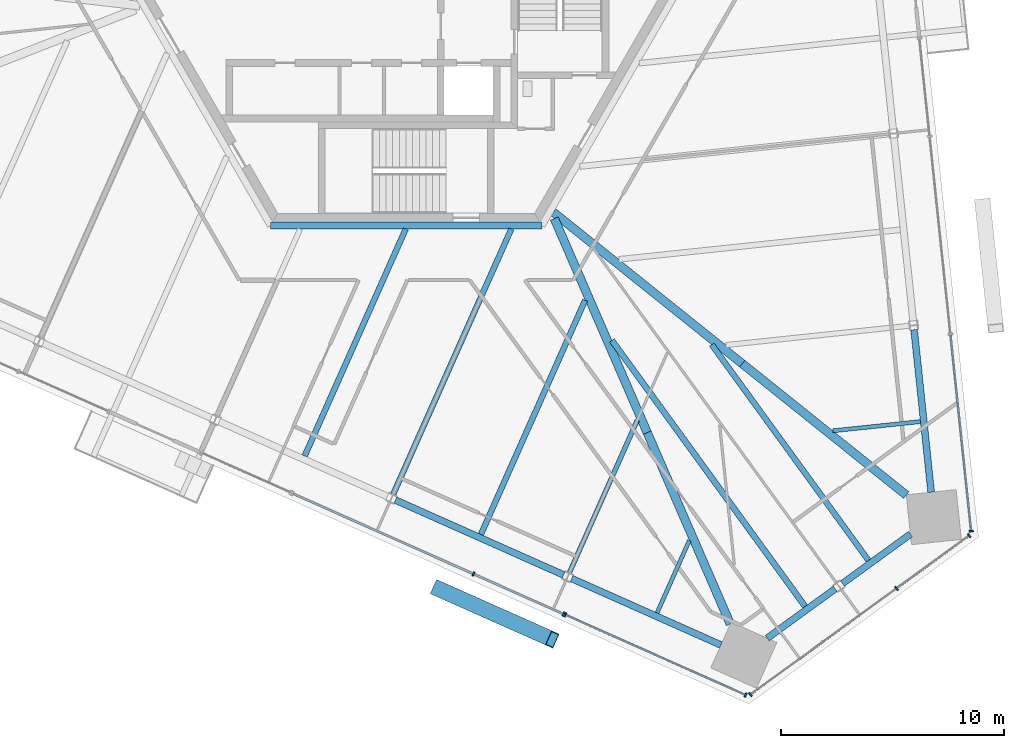
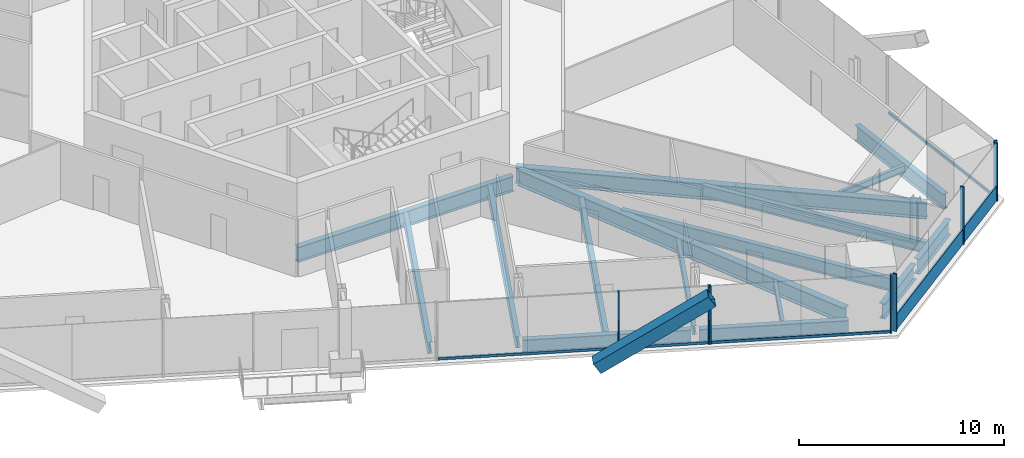
# One storey, part 4 of 18: 18 beams, 15 members, 4 elements without a shape of their own.
"""IFC4 building model written with IfcOpenShell, lengths in metres."""

from ifc_helpers import new_model, si_unit, direction, frame, origin, origin_2d, place, context, subcontext, project, spatial, rectangle, hollow_rectangle, i_section, extrude, source, transform, mapped, material, material_profile, profile_set, type_object, element, aggregate, save


model = new_model("IFC4")

# Units and contexts
model_context = context("Model", 3, precision=1e-05, world=origin(), true_north=direction((0.0, 1.0)))
body_context = subcontext(model_context, "Body", "Model", "MODEL_VIEW")
ifc_project = project(units=[si_unit("LENGTHUNIT", "METRE"), si_unit("AREAUNIT", "SQUARE_METRE"), si_unit("VOLUMEUNIT", "CUBIC_METRE"), si_unit("PLANEANGLEUNIT", "RADIAN"), si_unit("MASSUNIT", "GRAM", prefix="KILO")], contexts=[model_context])

# Site, building, storey
site_placement = place(None, origin())
site = spatial("IfcSite", under=ifc_project, at=site_placement, CompositionType="ELEMENT")
building_placement = place(site_placement, origin())
building = spatial("IfcBuilding", under=site, at=building_placement, Name="Triune Harvest Tower", CompositionType="ELEMENT")
storey_placement = place(building_placement, frame((0.0, 0.0, 83.699951171875)))
storey = spatial("IfcBuildingStorey", under=building, at=storey_placement, Name="L20", CompositionType="ELEMENT", Elevation=83.699951171875)

# Curtain wall, member
ifc_material_1 = material(Name="Aluminium bronze anodised", Category="aluminium")
curtain_wall_type_1 = type_object("IfcCurtainWallType", Name="CW-6 Balcony window wall", PredefinedType="NOTDEFINED", material=ifc_material_1)
curtain_wall_1_placement = place(storey_placement, origin())
curtain_wall_1 = element("IfcCurtainWall", 1, at=curtain_wall_1_placement, inside=storey, type_object=curtain_wall_type_1, Name="CW-6 B2-F5 L20 run 2002")
ifc_material_2 = material(Name="Aluminium bronze anodised", Category="aluminium")
ifc_material_profile_1 = material_profile(ifc_material_2, rectangle(XDim=0.090087890625, YDim=0.14990234375, at=origin_2d()), Name="TR-6 transom 90 x 150")
ifc_profile_set_1 = profile_set([ifc_material_profile_1], Name="Aluminium bronze anodised")
member_type_1 = type_object("IfcMemberType", Name="TR-6 transom 90 x 150", PredefinedType="USERDEFINED", material=ifc_profile_set_1)
member_1_placement = place(storey_placement, frame((7.1728515625, -28.039306640625, 0.074951171875), z_axis=(0.913543369074, -0.406741334046, 0.0), x_axis=(0.406741334046, 0.913543369074, 0.0)))
member_1 = element("IfcMember", 2, at=member_1_placement, type_object=member_type_1, Name="CW-6 transom B2-F5 2002.1", ObjectType="TRANSOM", PredefinedType="USERDEFINED", context=body_context, shape_type="SweptSolid", body=[
    extrude(rectangle(XDim=0.090087890625, YDim=0.14990234375, at=origin_2d()), origin(), (0.0, 0.0, 1.0), 8.791015625),
])

# Beams
ifc_material_3 = material(Name="Steel ASTM A992 Gr 50", Category="steel")
ifc_material_profile_2 = material_profile(ifc_material_3, i_section(OverallWidth=0.3046875, OverallDepth=0.914306640625, WebThickness=0.0166015625, FlangeThickness=0.02587890625, at=origin_2d()), Name="W36x160")
ifc_profile_set_2 = profile_set([ifc_material_profile_2], Name="Steel ASTM A992 Gr 50")
beam_type_1 = type_object("IfcBeamType", Name="CG-1 Core ring girder W36x160", PredefinedType="BEAM", material=ifc_profile_set_2)
shared_shape_1 = source(origin(), body_context, "Body", "SweptSolid", [
    extrude(i_section(OverallWidth=0.3046875, OverallDepth=0.914306640625, WebThickness=0.0166015625, FlangeThickness=0.02587890625, at=origin_2d()), origin(), (0.0, 0.0, 1.0), 12.17578125),
])
beam_1_placement = place(storey_placement, frame((-6.087890625, -10.544677734375, -0.6171875), z_axis=(1.0, 0.0, 0.0), x_axis=(0.0, 1.0, 0.0)))
element("IfcBeam", 3, at=beam_1_placement, inside=storey, type_object=beam_type_1, Name="beam/L20/CG5", PredefinedType="BEAM", context=body_context, shape_type="MappedRepresentation", body=[
    mapped(shared_shape_1, transform((0.0, 0.0, 0.0), scale=1.0)),
])
ifc_material_4 = material(Name="Steel ASTM A992 Gr 50", Category="steel")
ifc_material_profile_3 = material_profile(ifc_material_4, i_section(OverallWidth=0.383544921875, OverallDepth=0.9423828125, WebThickness=0.022216796875, FlangeThickness=0.039794921875, at=origin_2d()), Name="W36x232")
ifc_profile_set_3 = profile_set([ifc_material_profile_3], Name="Steel ASTM A992 Gr 50")
beam_type_2 = type_object("IfcBeamType", Name="HG-1 Hip girder W36x232", PredefinedType="BEAM", material=ifc_profile_set_3)
shared_shape_2 = source(origin(), body_context, "Body", "SweptSolid", [
    extrude(i_section(OverallWidth=0.383544921875, OverallDepth=0.9423828125, WebThickness=0.022216796875, FlangeThickness=0.039794921875, at=origin_2d()), origin(), (0.0, 0.0, 1.0), 10.8701171875),
])
beam_2_placement = place(storey_placement, frame((15.0908203125, -16.745849609375, -0.631103515625), z_axis=(-0.780344837212, 0.625349450337, 0.0), x_axis=(-0.625349450337, -0.780344837212, 0.0)))
element("IfcBeam", 4, at=beam_2_placement, inside=storey, type_object=beam_type_2, Name="beam/L20/HG2", PredefinedType="BEAM", context=body_context, shape_type="MappedRepresentation", body=[
    mapped(shared_shape_2, transform((0.0, 0.0, 0.0), scale=1.0)),
])
shared_shape_3 = source(origin(), body_context, "Body", "SweptSolid", [
    extrude(i_section(OverallWidth=0.383544921875, OverallDepth=0.9423828125, WebThickness=0.022216796875, FlangeThickness=0.039794921875, at=origin_2d()), origin(), (0.0, 0.0, 1.0), 10.48291015625),
])
beam_3_placement = place(storey_placement, frame((10.824462890625, -19.84521484375, -0.631103515625), z_axis=(-0.39806686292, 0.917356404374, 0.0), x_axis=(-0.917356404374, -0.39806686292, 0.0)))
element("IfcBeam", 5, at=beam_3_placement, inside=storey, type_object=beam_type_2, Name="beam/L20/HG8", PredefinedType="BEAM", context=body_context, shape_type="MappedRepresentation", body=[
    mapped(shared_shape_3, transform((0.0, 0.0, 0.0), scale=1.0)),
])
ifc_material_5 = material(Name="Steel ASTM A992 Gr 50", Category="steel")
ifc_material_profile_4 = material_profile(ifc_material_5, i_section(OverallWidth=0.3046875, OverallDepth=0.914306640625, WebThickness=0.0166015625, FlangeThickness=0.02587890625, at=origin_2d()), Name="W36x160")
ifc_profile_set_4 = profile_set([ifc_material_profile_4], Name="Steel ASTM A992 Gr 50")
beam_type_3 = type_object("IfcBeamType", Name="SB-1 Spandrel beam W36x160", PredefinedType="SPANDREL", material=ifc_profile_set_4)
shared_shape_4 = source(origin(), body_context, "Body", "SweptSolid", [
    extrude(i_section(OverallWidth=0.3046875, OverallDepth=0.914306640625, WebThickness=0.0166015625, FlangeThickness=0.02587890625, at=origin_2d()), origin(), (0.0, 0.0, 1.0), 7.337890625),
])
for number, where, z_axis, x_axis, name in (
    (6, (23.57568359375, -22.520751953125, -0.6171875), (-0.104539300002, 0.994520756322, 0.0), (-0.994520756322, -0.104539300002, 0.0), "beam/L20/SB1"),
    (7, (7.4296875, -26.396484375, -0.6171875), (0.913546560881, -0.406734165153, 0.0), (0.406734165153, 0.913546560881, 0.0), "beam/L20/SB22"),
):
    element("IfcBeam", number, at=place(storey_placement, frame(where, z_axis=z_axis, x_axis=x_axis)), inside=storey, type_object=beam_type_3, Name=name, PredefinedType="SPANDREL", context=body_context, shape_type="MappedRepresentation", body=[
        mapped(shared_shape_4, transform((0.0, 0.0, 0.0), scale=1.0)),
    ])
shared_shape_5 = source(origin(), body_context, "Body", "SweptSolid", [
    extrude(i_section(OverallWidth=0.3046875, OverallDepth=0.914306640625, WebThickness=0.0166015625, FlangeThickness=0.02587890625, at=origin_2d()), origin(), (0.0, 0.0, 1.0), 8.263427734375),
])
beam_4_placement = place(storey_placement, frame((-0.483642578125, -22.873291015625, -0.6171875), z_axis=(0.913544537455, -0.406738709846, 0.0), x_axis=(0.406738709846, 0.913544537455, 0.0)))
element("IfcBeam", 8, at=beam_4_placement, inside=storey, type_object=beam_type_3, Name="beam/L20/SB21", PredefinedType="SPANDREL", context=body_context, shape_type="MappedRepresentation", body=[
    mapped(shared_shape_5, transform((0.0, 0.0, 0.0), scale=1.0)),
])
shared_shape_6 = source(origin(), body_context, "Body", "SweptSolid", [
    extrude(i_section(OverallWidth=0.3046875, OverallDepth=0.914306640625, WebThickness=0.0166015625, FlangeThickness=0.02587890625, at=origin_2d()), origin(), (0.0, 0.0, 1.0), 3.77490234375),
])
for number, where, z_axis, x_axis, name in (
    (9, (16.2119140625, -29.0751953125, -0.6171875), (0.809026850732, 0.587771685942, 0.0), (-0.587771685942, 0.809026850732, 0.0), "beam/L20/SB23"),
    (10, (19.58837890625, -26.6220703125, -0.6171875), (0.809026850732, 0.587771685942, 0.0), (-0.587771685942, 0.809026850732, 0.0), "beam/L20/SB24"),
):
    element("IfcBeam", number, at=place(storey_placement, frame(where, z_axis=z_axis, x_axis=x_axis)), inside=storey, type_object=beam_type_3, Name=name, PredefinedType="SPANDREL", context=body_context, shape_type="MappedRepresentation", body=[
        mapped(shared_shape_6, transform((0.0, 0.0, 0.0), scale=1.0)),
    ])
shared_shape_7 = source(origin(), body_context, "Body", "SweptSolid", [
    extrude(i_section(OverallWidth=0.383544921875, OverallDepth=0.9423828125, WebThickness=0.022216796875, FlangeThickness=0.039794921875, at=origin_2d()), origin(), (0.0, 0.0, 1.0), 9.44091796875),
])
beam_5_placement = place(storey_placement, frame((22.4580078125, -22.649658203125, -0.631103515625), z_axis=(-0.780348817967, 0.625344482903, 0.0), x_axis=(-0.625344482903, -0.780348817967, 0.0)))
element("IfcBeam", 11, at=beam_5_placement, inside=storey, type_object=beam_type_2, Name="beam/L20/HG1", PredefinedType="BEAM", context=body_context, shape_type="MappedRepresentation", body=[
    mapped(shared_shape_7, transform((0.0, 0.0, 0.0), scale=1.0)),
])
shared_shape_8 = source(origin(), body_context, "Body", "SweptSolid", [
    extrude(i_section(OverallWidth=0.383544921875, OverallDepth=0.9423828125, WebThickness=0.022216796875, FlangeThickness=0.039794921875, at=origin_2d()), origin(), (0.0, 0.0, 1.0), 9.366943359375),
])
beam_6_placement = place(storey_placement, frame((14.552978515625, -28.43798828125, -0.631103515625), z_axis=(-0.398055044024, 0.917361532836, 0.0), x_axis=(-0.917361532836, -0.398055044024, 0.0)))
element("IfcBeam", 12, at=beam_6_placement, inside=storey, type_object=beam_type_2, Name="beam/L20/HG7", PredefinedType="BEAM", context=body_context, shape_type="MappedRepresentation", body=[
    mapped(shared_shape_8, transform((0.0, 0.0, 0.0), scale=1.0)),
])
ifc_material_6 = material(Name="Steel ASTM A992 Gr 50", Category="steel")
ifc_material_profile_5 = material_profile(ifc_material_6, i_section(OverallWidth=0.180908203125, OverallDepth=0.41650390625, WebThickness=0.010986328125, FlangeThickness=0.01806640625, at=origin_2d()), Name="W16x57")
ifc_profile_set_5 = profile_set([ifc_material_profile_5], Name="Steel ASTM A992 Gr 50")
beam_type_4 = type_object("IfcBeamType", Name="JT-1 Floor joist W16x57", PredefinedType="JOIST", material=ifc_profile_set_5)
shared_shape_9 = source(origin(), body_context, "Body", "SweptSolid", [
    extrude(i_section(OverallWidth=0.180908203125, OverallDepth=0.41650390625, WebThickness=0.010986328125, FlangeThickness=0.01806640625, at=origin_2d()), origin(), (0.0, 0.0, 1.0), 3.95068359375),
])
beam_7_placement = place(storey_placement, frame((23.089111328125, -19.34814453125, -0.3681640625), z_axis=(-0.994524737495, -0.104501418698, 0.0), x_axis=(0.104501418698, -0.994524737495, 0.0)))
element("IfcBeam", 13, at=beam_7_placement, inside=storey, type_object=beam_type_4, Name="beam/L20/JT1", PredefinedType="JOIST", context=body_context, shape_type="MappedRepresentation", body=[
    mapped(shared_shape_9, transform((0.0, 0.0, 0.0), scale=1.0)),
])
ifc_material_7 = material(Name="Steel ASTM A992 Gr 50", Category="steel")
ifc_material_profile_6 = material_profile(ifc_material_7, i_section(OverallWidth=0.253662109375, OverallDepth=0.683349609375, WebThickness=0.012451171875, FlangeThickness=0.01904296875, at=origin_2d()), Name="W27x94")
ifc_profile_set_6 = profile_set([ifc_material_profile_6], Name="Steel ASTM A992 Gr 50")
beam_type_5 = type_object("IfcBeamType", Name="JT-4 Floor joist W27x94", PredefinedType="JOIST", material=ifc_profile_set_6)
shared_shape_10 = source(origin(), body_context, "Body", "SweptSolid", [
    extrude(i_section(OverallWidth=0.253662109375, OverallDepth=0.683349609375, WebThickness=0.012451171875, FlangeThickness=0.01904296875, at=origin_2d()), origin(), (0.0, 0.0, 1.0), 11.51123046875),
])
beam_8_placement = place(storey_placement, frame((3.352783203125, -24.414794921875, -0.50146484375), z_axis=(0.406740530162, 0.91354372699, 0.0), x_axis=(-0.91354372699, 0.406740530162, 0.0)))
element("IfcBeam", 14, at=beam_8_placement, inside=storey, type_object=beam_type_5, Name="beam/L20/JT35", PredefinedType="JOIST", context=body_context, shape_type="MappedRepresentation", body=[
    mapped(shared_shape_10, transform((0.0, 0.0, 0.0), scale=1.0)),
])
shared_shape_11 = source(origin(), body_context, "Body", "SweptSolid", [
    extrude(i_section(OverallWidth=0.180908203125, OverallDepth=0.41650390625, WebThickness=0.010986328125, FlangeThickness=0.01806640625, at=origin_2d()), origin(), (0.0, 0.0, 1.0), 3.562255859375),
])
beam_9_placement = place(storey_placement, frame((11.26611328125, -27.93798828125, -0.3681640625), z_axis=(0.406767922158, 0.913531530656, 0.0), x_axis=(-0.913531530656, 0.406767922158, 0.0)))
element("IfcBeam", 15, at=beam_9_placement, inside=storey, type_object=beam_type_4, Name="beam/L20/JT37", PredefinedType="JOIST", context=body_context, shape_type="MappedRepresentation", body=[
    mapped(shared_shape_11, transform((0.0, 0.0, 0.0), scale=1.0)),
])
ifc_material_8 = material(Name="Steel ASTM A992 Gr 50", Category="steel")
ifc_material_profile_7 = material_profile(ifc_material_8, i_section(OverallWidth=0.2666015625, OverallDepth=0.7568359375, WebThickness=0.013916015625, FlangeThickness=0.019287109375, at=origin_2d()), Name="W30x108")
ifc_profile_set_7 = profile_set([ifc_material_profile_7], Name="Steel ASTM A992 Gr 50")
beam_type_6 = type_object("IfcBeamType", Name="JT-5 Floor joist W30x108", PredefinedType="JOIST", material=ifc_profile_set_7)
shared_shape_12 = source(origin(), body_context, "Body", "SweptSolid", [
    extrude(i_section(OverallWidth=0.2666015625, OverallDepth=0.7568359375, WebThickness=0.013916015625, FlangeThickness=0.019287109375, at=origin_2d()), origin(), (0.0, 0.0, 1.0), 14.766357421875),
])
beam_10_placement = place(storey_placement, frame((17.915283203125, -27.649169921875, -0.538330078125), z_axis=(-0.587783315485, 0.809018401544, 0.0), x_axis=(-0.809018401544, -0.587783315485, 0.0)))
element("IfcBeam", 16, at=beam_10_placement, inside=storey, type_object=beam_type_6, Name="beam/L20/JT38", PredefinedType="JOIST", context=body_context, shape_type="MappedRepresentation", body=[
    mapped(shared_shape_12, transform((0.0, 0.0, 0.0), scale=1.0)),
])
ifc_material_9 = material(Name="Steel ASTM A992 Gr 50", Category="steel")
ifc_material_profile_8 = material_profile(ifc_material_9, i_section(OverallWidth=0.2099609375, OverallDepth=0.535888671875, WebThickness=0.010986328125, FlangeThickness=0.017333984375, at=origin_2d()), Name="W21x68")
ifc_profile_set_8 = profile_set([ifc_material_profile_8], Name="Steel ASTM A992 Gr 50")
beam_type_7 = type_object("IfcBeamType", Name="JT-2 Floor joist W21x68", PredefinedType="JOIST", material=ifc_profile_set_8)
shared_shape_13 = source(origin(), body_context, "Body", "SweptSolid", [
    extrude(i_section(OverallWidth=0.2099609375, OverallDepth=0.535888671875, WebThickness=0.010986328125, FlangeThickness=0.017333984375, at=origin_2d()), origin(), (0.0, 0.0, 1.0), 7.4921875),
])
beam_11_placement = place(storey_placement, frame((7.32763671875, -26.1357421875, -0.427978515625), z_axis=(0.406737018568, 0.913545290463, 0.0), x_axis=(-0.913545290463, 0.406737018568, 0.0)))
element("IfcBeam", 17, at=beam_11_placement, inside=storey, type_object=beam_type_7, Name="beam/L20/JT36", PredefinedType="JOIST", context=body_context, shape_type="MappedRepresentation", body=[
    mapped(shared_shape_13, transform((0.0, 0.0, 0.0), scale=1.0)),
])
shared_shape_14 = source(origin(), body_context, "Body", "SweptSolid", [
    extrude(i_section(OverallWidth=0.253662109375, OverallDepth=0.683349609375, WebThickness=0.012451171875, FlangeThickness=0.01904296875, at=origin_2d()), origin(), (0.0, 0.0, 1.0), 11.159423828125),
])
beam_12_placement = place(storey_placement, frame((-4.560546875, -20.8916015625, -0.50146484375), z_axis=(0.406747338499, 0.913540695659, 0.0), x_axis=(-0.913540695659, 0.406747338499, 0.0)))
element("IfcBeam", 18, at=beam_12_placement, inside=storey, type_object=beam_type_5, Name="beam/L20/JT33", PredefinedType="JOIST", context=body_context, shape_type="MappedRepresentation", body=[
    mapped(shared_shape_14, transform((0.0, 0.0, 0.0), scale=1.0)),
])
shared_shape_15 = source(origin(), body_context, "Body", "SweptSolid", [
    extrude(i_section(OverallWidth=0.253662109375, OverallDepth=0.683349609375, WebThickness=0.012451171875, FlangeThickness=0.01904296875, at=origin_2d()), origin(), (0.0, 0.0, 1.0), 13.043212890625),
])
beam_13_placement = place(storey_placement, frame((-0.585693359375, -22.612548828125, -0.50146484375), z_axis=(0.40673927971, 0.913544283733, 0.0), x_axis=(-0.913544283733, 0.40673927971, 0.0)))
element("IfcBeam", 19, at=beam_13_placement, inside=storey, type_object=beam_type_5, Name="beam/L20/JT34", PredefinedType="JOIST", context=body_context, shape_type="MappedRepresentation", body=[
    mapped(shared_shape_15, transform((0.0, 0.0, 0.0), scale=1.0)),
])
shared_shape_16 = source(origin(), body_context, "Body", "SweptSolid", [
    extrude(i_section(OverallWidth=0.253662109375, OverallDepth=0.683349609375, WebThickness=0.012451171875, FlangeThickness=0.01904296875, at=origin_2d()), origin(), (0.0, 0.0, 1.0), 11.97802734375),
])
beam_14_placement = place(storey_placement, frame((20.759521484375, -25.582763671875, -0.50146484375), z_axis=(-0.587786239195, 0.809016277347, 0.0), x_axis=(-0.809016277347, -0.587786239195, 0.0)))
element("IfcBeam", 20, at=beam_14_placement, inside=storey, type_object=beam_type_5, Name="beam/L20/JT39", PredefinedType="JOIST", context=body_context, shape_type="MappedRepresentation", body=[
    mapped(shared_shape_16, transform((0.0, 0.0, 0.0), scale=1.0)),
])

# Member
ifc_material_10 = material(Name="Steel ASTM A572 Gr 50", Category="steel")
ifc_material_profile_9 = material_profile(ifc_material_10, hollow_rectangle(XDim=0.699951171875, YDim=0.699951171875, WallThickness=0.0400390625, at=origin_2d()), Name="Box 700x700x40")
ifc_profile_set_9 = profile_set([ifc_material_profile_9], Name="Steel ASTM A572 Gr 50")
member_type_2 = type_object("IfcMemberType", Name="BR-1 Brace Box 700x700x40", PredefinedType="BRACE", material=ifc_profile_set_9)
shared_shape_17 = source(origin(), body_context, "Body", "SweptSolid", [
    extrude(hollow_rectangle(XDim=0.699951171875, YDim=0.699951171875, WallThickness=0.0400390625, at=origin_2d()), origin(), (0.0, 0.0, 1.0), 6.702392578125),
])
member_2_placement = place(storey_placement, frame((1.394775390625, -26.835205078125, 0.0), z_axis=(0.770560167678, -0.343098526017, 0.537140977242), x_axis=(0.40675943476, 0.91353530979, 0.0)))
element("IfcMember", 21, at=member_2_placement, inside=storey, type_object=member_type_2, Name="brace/B2-F5/d1/8", PredefinedType="BRACE", context=body_context, shape_type="MappedRepresentation", body=[
    mapped(shared_shape_17, transform((0.0, 0.0, 0.0), scale=1.0)),
])

# Curtain wall, members
ifc_material_11 = material(Name="Aluminium bronze anodised", Category="aluminium")
curtain_wall_type_2 = type_object("IfcCurtainWallType", Name="CW-1 Tower stick curtain wall", PredefinedType="NOTDEFINED", material=ifc_material_11)
curtain_wall_2_placement = place(storey_placement, origin())
curtain_wall_2 = element("IfcCurtainWall", 22, at=curtain_wall_2_placement, inside=storey, type_object=curtain_wall_type_2, Name="CW-1 B2-F6 L20 run 1")
ifc_material_12 = material(Name="Aluminium bronze anodised", Category="aluminium")
ifc_material_profile_10 = material_profile(ifc_material_12, rectangle(XDim=0.199951171875, YDim=0.074951171875, at=origin_2d()), Name="MU-1 mullion 75 x 200")
ifc_profile_set_10 = profile_set([ifc_material_profile_10], Name="Aluminium bronze anodised")
member_type_3 = type_object("IfcMemberType", Name="MU-1 mullion 75 x 200", PredefinedType="MULLION", material=ifc_profile_set_10)
shared_shape_18 = source(origin(), body_context, "Body", "SweptSolid", [
    extrude(rectangle(XDim=0.199951171875, YDim=0.074951171875, at=origin_2d()), origin(), (0.0, 0.0, 1.0), 3.43994140625),
])
member_3_placement = place(storey_placement, frame((15.457763671875, -31.607177734375, 0.0), z_axis=(0.0, 0.0, 1.0), x_axis=(-0.58779042564, 0.809013235692, 0.0)))
member_3 = element("IfcMember", 23, at=member_3_placement, type_object=member_type_3, Name="CW-1 mullion B2-F6 1.1", PredefinedType="MULLION", context=body_context, shape_type="MappedRepresentation", body=[
    mapped(shared_shape_18, transform((0.0, 0.0, 0.0), scale=1.0)),
])
member_4_placement = place(storey_placement, frame((22.018310546875, -26.8408203125, 0.0), z_axis=(0.0, 0.0, 1.0), x_axis=(-0.58779042564, 0.809013235692, 0.0)))
member_4 = element("IfcMember", 24, at=member_4_placement, type_object=member_type_3, Name="CW-1 mullion B2-F6 1.3", PredefinedType="MULLION", context=body_context, shape_type="MappedRepresentation", body=[
    mapped(shared_shape_18, transform((0.0, 0.0, 0.0), scale=1.0)),
])
member_5_placement = place(storey_placement, frame((25.283447265625, -24.468505859375, 0.0), z_axis=(0.0, 0.0, 1.0), x_axis=(-0.58779042564, 0.809013235692, 0.0)))
member_5 = element("IfcMember", 25, at=member_5_placement, type_object=member_type_3, Name="CW-1 mullion B2-F6 1.4", PredefinedType="MULLION", context=body_context, shape_type="MappedRepresentation", body=[
    mapped(shared_shape_18, transform((0.0, 0.0, 0.0), scale=1.0)),
])
ifc_material_13 = material(Name="Aluminium bronze anodised", Category="aluminium")
ifc_material_profile_11 = material_profile(ifc_material_13, rectangle(XDim=0.090087890625, YDim=0.89990234375, at=origin_2d()), Name="TR-1 transom 90 x 900")
ifc_profile_set_11 = profile_set([ifc_material_profile_11], Name="Aluminium bronze anodised")
member_type_4 = type_object("IfcMemberType", Name="TR-1 transom 90 x 900", PredefinedType="USERDEFINED", material=ifc_profile_set_11)
shared_shape_19 = source(origin(), body_context, "Body", "SweptSolid", [
    extrude(rectangle(XDim=0.090087890625, YDim=0.89990234375, at=origin_2d()), origin(), (0.0, 0.0, 1.0), 8.0341796875),
])
member_6_placement = place(storey_placement, frame((15.48828125, -31.585205078125, 0.449951171875), z_axis=(0.809013262196, 0.587790389162, 0.0), x_axis=(-0.587790389162, 0.809013262196, 0.0)))
member_6 = element("IfcMember", 26, at=member_6_placement, type_object=member_type_4, Name="CW-1 transom B2-F6 1.1", ObjectType="TRANSOM", PredefinedType="USERDEFINED", context=body_context, shape_type="MappedRepresentation", body=[
    mapped(shared_shape_19, transform((0.0, 0.0, 0.0), scale=1.0)),
])
shared_shape_20 = source(origin(), body_context, "Body", "SweptSolid", [
    extrude(rectangle(XDim=0.090087890625, YDim=0.89990234375, at=origin_2d()), origin(), (0.0, 0.0, 1.0), 3.9609375),
])
member_7_placement = place(storey_placement, frame((22.048583984375, -26.818603515625, 0.449951171875), z_axis=(0.809034498415, 0.587761159294, 0.0), x_axis=(-0.587761159294, 0.809034498415, 0.0)))
member_7 = element("IfcMember", 27, at=member_7_placement, type_object=member_type_4, Name="CW-1 transom B2-F6 1.2", ObjectType="TRANSOM", PredefinedType="USERDEFINED", context=body_context, shape_type="MappedRepresentation", body=[
    mapped(shared_shape_20, transform((0.0, 0.0, 0.0), scale=1.0)),
])
aggregate(curtain_wall_2, [member_3, member_4, member_5, member_6, member_7])

# Curtain wall, member
curtain_wall_3_placement = place(storey_placement, origin())
curtain_wall_3 = element("IfcCurtainWall", 28, at=curtain_wall_3_placement, inside=storey, type_object=curtain_wall_type_1, Name="CW-6 B2-F1 L20 run 1")
ifc_material_14 = material(Name="Aluminium bronze anodised", Category="aluminium")
ifc_material_profile_12 = material_profile(ifc_material_14, rectangle(XDim=0.199951171875, YDim=0.074951171875, at=origin_2d()), Name="MU-6 mullion 75 x 200")
ifc_profile_set_12 = profile_set([ifc_material_profile_12], Name="Aluminium bronze anodised")
member_type_5 = type_object("IfcMemberType", Name="MU-6 mullion 75 x 200", PredefinedType="MULLION", material=ifc_profile_set_12)
shared_shape_21 = source(origin(), body_context, "Body", "SweptSolid", [
    extrude(rectangle(XDim=0.199951171875, YDim=0.074951171875, at=origin_2d()), origin(), (0.0, 0.0, 1.0), 3.43994140625),
])
member_8_placement = place(storey_placement, frame((25.373291015625, -24.2666015625, 0.0), z_axis=(0.0, 0.0, 1.0), x_axis=(-0.994521992769, -0.104527536558, 0.0)))
member_8 = element("IfcMember", 29, at=member_8_placement, type_object=member_type_5, Name="CW-6 mullion B2-F1 1.1", PredefinedType="MULLION", context=body_context, shape_type="MappedRepresentation", body=[
    mapped(shared_shape_21, transform((0.0, 0.0, 0.0), scale=1.0)),
])

# Curtain wall, members
ifc_material_15 = material(Name="Aluminium bronze anodised", Category="aluminium")
curtain_wall_type_3 = type_object("IfcCurtainWallType", Name="CW-10 Balcony window wall with insulated spandrel infill", PredefinedType="NOTDEFINED", material=ifc_material_15)
curtain_wall_4_placement = place(storey_placement, origin())
curtain_wall_4 = element("IfcCurtainWall", 30, at=curtain_wall_4_placement, inside=storey, type_object=curtain_wall_type_3, Name="CW-10 B2-F5 L20 run 1002")
member_9_placement = place(storey_placement, frame((3.020263671875, -26.1904296875, 0.0), z_axis=(0.0, 0.0, 1.0), x_axis=(0.406740943046, 0.91354354316, 0.0)))
member_9 = element("IfcMember", 31, at=member_9_placement, type_object=member_type_5, Name="CW-10 mullion B2-F5 1002.3", PredefinedType="MULLION", context=body_context, shape_type="MappedRepresentation", body=[
    mapped(shared_shape_21, transform((0.0, 0.0, 0.0), scale=1.0)),
])
member_10_placement = place(storey_placement, frame((7.070068359375, -27.99365234375, 0.0), z_axis=(0.0, 0.0, 1.0), x_axis=(0.406740943046, 0.91354354316, 0.0)))
member_10 = element("IfcMember", 32, at=member_10_placement, type_object=member_type_5, Name="CW-10 mullion B2-F5 1002.4", PredefinedType="MULLION", context=body_context, shape_type="MappedRepresentation", body=[
    mapped(shared_shape_21, transform((0.0, 0.0, 0.0), scale=1.0)),
])

# Member
member_11_placement = place(storey_placement, frame((7.138671875, -28.024169921875, 0.0), z_axis=(0.0, 0.0, 1.0), x_axis=(0.406735261097, 0.913546072938, 0.0)))
member_11 = element("IfcMember", 33, at=member_11_placement, type_object=member_type_5, Name="CW-6 mullion B2-F5 2002.1", PredefinedType="MULLION", context=body_context, shape_type="MappedRepresentation", body=[
    mapped(shared_shape_21, transform((0.0, 0.0, 0.0), scale=1.0)),
])

member_12_placement = place(storey_placement, frame((15.23828125, -31.63037109375, 0.0), z_axis=(0.0, 0.0, 1.0), x_axis=(0.406735261097, 0.913546072938, 0.0)))
member_12 = element("IfcMember", 34, at=member_12_placement, type_object=member_type_5, Name="CW-6 mullion B2-F5 2002.3", PredefinedType="MULLION", context=body_context, shape_type="MappedRepresentation", body=[
    mapped(shared_shape_21, transform((0.0, 0.0, 0.0), scale=1.0)),
])

aggregate(curtain_wall_1, [member_11, member_12, member_1])

shared_shape_22 = source(origin(), body_context, "Body", "SweptSolid", [
    extrude(rectangle(XDim=0.090087890625, YDim=0.14990234375, at=origin_2d()), origin(), (0.0, 0.0, 1.0), 8.82275390625),
])
member_13_placement = place(storey_placement, frame((25.369384765625, -24.2294921875, 0.074951171875), z_axis=(-0.104543619972, 0.994520302218, 0.0), x_axis=(-0.994520302218, -0.104543619972, 0.0)))
member_13 = element("IfcMember", 35, at=member_13_placement, type_object=member_type_1, Name="CW-6 transom B2-F1 1.1", ObjectType="TRANSOM", PredefinedType="USERDEFINED", context=body_context, shape_type="MappedRepresentation", body=[
    mapped(shared_shape_22, transform((0.0, 0.0, 0.0), scale=1.0)),
])

aggregate(curtain_wall_3, [member_8, member_13])

shared_shape_23 = source(origin(), body_context, "Body", "SweptSolid", [
    extrude(rectangle(XDim=0.090087890625, YDim=0.14990234375, at=origin_2d()), origin(), (0.0, 0.0, 1.0), 8.828857421875),
])
member_14_placement = place(storey_placement, frame((-5.079345703125, -22.584228515625, 0.074951171875), z_axis=(0.913541089129, -0.406746454776, 0.0), x_axis=(0.406746454776, 0.913541089129, 0.0)))
member_14 = element("IfcMember", 36, at=member_14_placement, type_object=member_type_1, Name="CW-10 transom B2-F5 1002.1", ObjectType="TRANSOM", PredefinedType="USERDEFINED", context=body_context, shape_type="MappedRepresentation", body=[
    mapped(shared_shape_23, transform((0.0, 0.0, 0.0), scale=1.0)),
])

shared_shape_24 = source(origin(), body_context, "Body", "SweptSolid", [
    extrude(rectangle(XDim=0.090087890625, YDim=0.14990234375, at=origin_2d()), origin(), (0.0, 0.0, 1.0), 4.358154296875),
])
member_15_placement = place(storey_placement, frame((3.054443359375, -26.205810546875, 0.074951171875), z_axis=(0.913541074007, -0.40674648874, 0.0), x_axis=(0.40674648874, 0.913541074007, 0.0)))
member_15 = element("IfcMember", 37, at=member_15_placement, type_object=member_type_1, Name="CW-10 transom B2-F5 1002.2", ObjectType="TRANSOM", PredefinedType="USERDEFINED", context=body_context, shape_type="MappedRepresentation", body=[
    mapped(shared_shape_24, transform((0.0, 0.0, 0.0), scale=1.0)),
])

aggregate(curtain_wall_4, [member_9, member_10, member_14, member_15])

save(model, "model.ifc")
